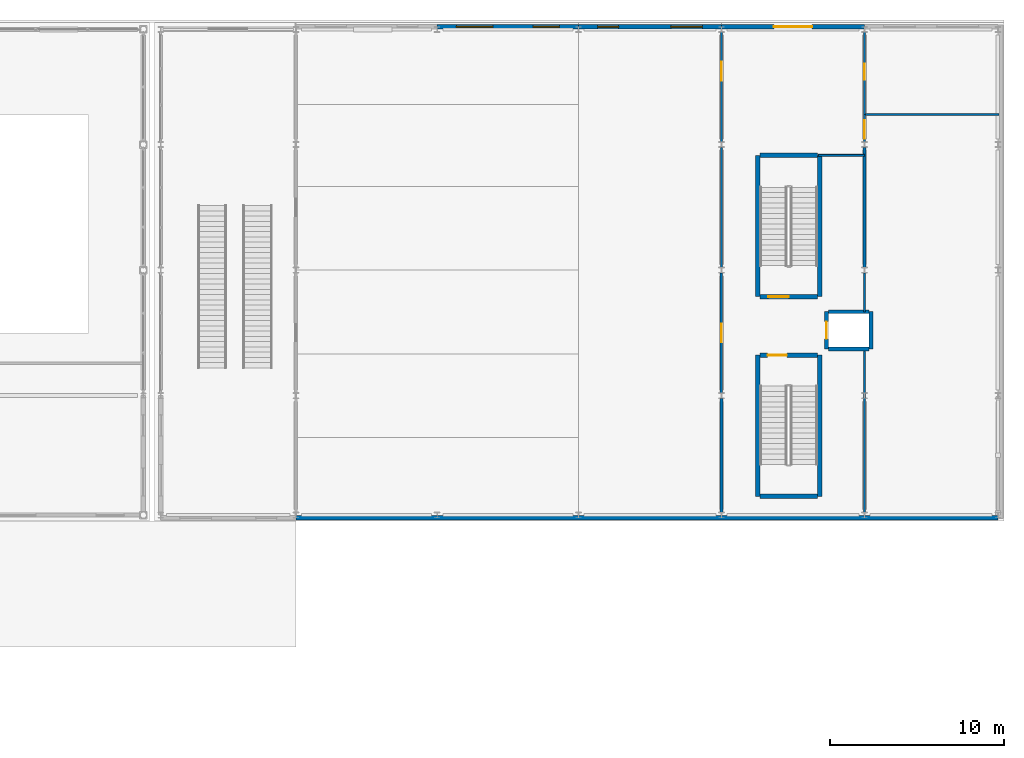
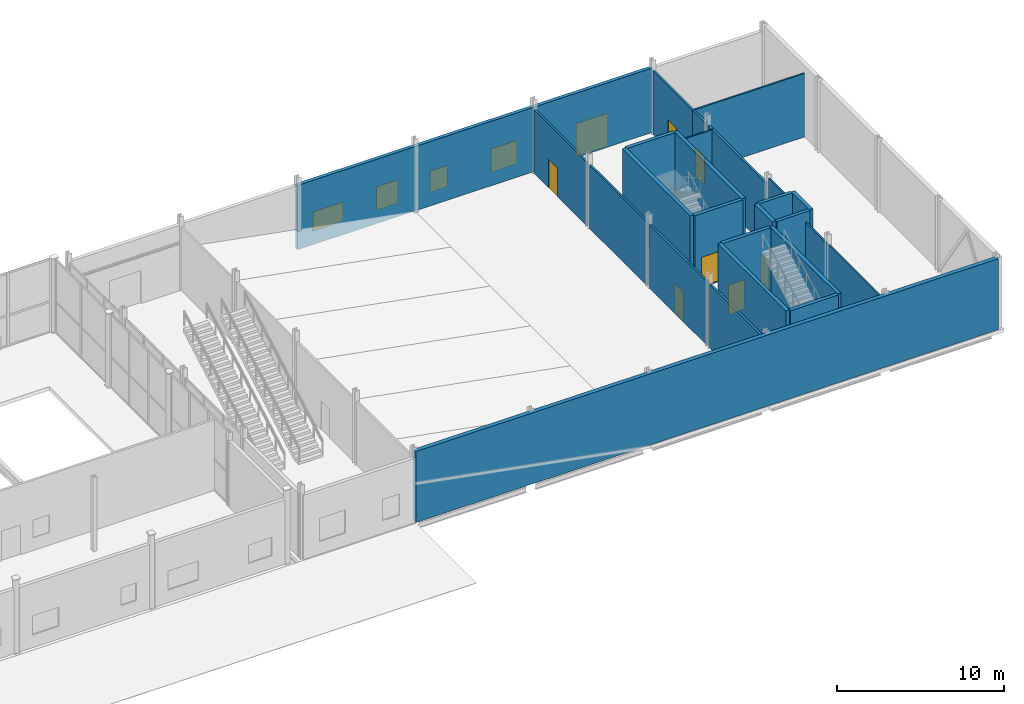
# One storey, part 71 of 83: 27 walls, 8 doors, 4 windows, 12 openings.
"""IFC4 building model written with IfcOpenShell, lengths in metres."""

from ifc_helpers import new_model, si_unit, direction, frame, frame_2d, origin, place, context, subcontext, project, spatial, rectangle, extrude, material, layer, layer_set, type_object, element, fill, save


model = new_model("IFC4")

# Units and contexts
model_context = context("Model", 3, precision=1e-05, world=origin(), true_north=direction((0.0, 1.0)))
body_context = subcontext(model_context, "Body", "Model", "MODEL_VIEW")
ifc_project = project(units=[si_unit("LENGTHUNIT", "METRE"), si_unit("AREAUNIT", "SQUARE_METRE"), si_unit("VOLUMEUNIT", "CUBIC_METRE"), si_unit("PLANEANGLEUNIT", "RADIAN"), si_unit("MASSUNIT", "GRAM", prefix="KILO")], contexts=[model_context])

# Site, building, storey
site_placement = place(None, origin())
site = spatial("IfcSite", under=ifc_project, at=site_placement, CompositionType="ELEMENT")
building_placement = place(site_placement, origin())
building = spatial("IfcBuilding", under=site, at=building_placement, Name="Quillay Park Conservatory", CompositionType="ELEMENT")
storey_placement = place(building_placement, origin())
storey = spatial("IfcBuildingStorey", under=building, at=storey_placement, Name="L00", CompositionType="ELEMENT", Elevation=0.0)

# Walls
ifc_material_1 = material(Name="Steel-Stud Acoustic Gypsum Board Partition", Category="steel")
ifc_layer_1 = layer(ifc_material_1, 0.10009765625)
ifc_layer_set_1 = layer_set([ifc_layer_1], Name="ACOUSTIC GYPSUM PARTITION 100 (Steel-Stud Acoustic Gypsum Board Partition)")
wall_type_1 = type_object("IfcWallType", Name="ACOUSTIC GYPSUM PARTITION 100", PredefinedType="PARTITIONING", material=ifc_layer_set_1)
wall_1_placement = place(storey_placement, frame((156.199951171875, 97.199951171875, 0.0), z_axis=(0.0, 0.0, 1.0), x_axis=(0.0, 1.0, 0.0)))
element("IfcWall", 1, at=wall_1_placement, inside=storey, type_object=wall_type_1, Name="L00 Green Room West Wall M", PredefinedType="PARTITIONING", context=body_context, shape_type="SweptSolid", body=[
    extrude(rectangle(XDim=2.24365234375, YDim=0.10009765625, at=frame_2d((1.121826171875, 0.0))), origin(), (0.0, 0.0, 1.0), 5.14990234375),
])
ifc_material_2 = material(Name="Steel-Stud Acoustic Gypsum Board Partition", Category="steel")
ifc_layer_2 = layer(ifc_material_2, 0.10498046875)
ifc_layer_set_2 = layer_set([ifc_layer_2], Name="ACOUSTIC GYPSUM PARTITION 105 (Steel-Stud Acoustic Gypsum Board Partition)")
wall_type_2 = type_object("IfcWallType", Name="ACOUSTIC GYPSUM PARTITION 105", PredefinedType="PARTITIONING", material=ifc_layer_set_2)
wall_2_placement = place(storey_placement, frame((156.199951171875, 85.70654296875, 0.0), z_axis=(0.0, 0.0, 1.0), x_axis=(0.0, 1.0, 0.0)))
element("IfcWall", 2, at=wall_2_placement, inside=storey, type_object=wall_type_2, Name="L00 Green Room West Wall S", PredefinedType="PARTITIONING", context=body_context, shape_type="SweptSolid", body=[
    extrude(rectangle(XDim=9.3935546875, YDim=0.10498046875, at=frame_2d((4.69677734375, 0.0))), origin(), (0.0, 0.0, 1.0), 4.64111328125),
])
ifc_material_3 = material(Name="Steel-Stud Acoustic Gypsum Board Partition", Category="steel")
ifc_layer_3 = layer(ifc_material_3, 0.110107421875)
ifc_layer_set_3 = layer_set([ifc_layer_3], Name="ACOUSTIC GYPSUM PARTITION 110 (Steel-Stud Acoustic Gypsum Board Partition)")
wall_type_3 = type_object("IfcWallType", Name="ACOUSTIC GYPSUM PARTITION 110", PredefinedType="PARTITIONING", material=ifc_layer_set_3)
wall_3_placement = place(storey_placement, frame((153.550048828125, 106.179931640625, 0.0), z_axis=(0.0, 0.0, 1.0), x_axis=(1.0, 0.0, 0.0)))
element("IfcWall", 3, at=wall_3_placement, inside=storey, type_object=wall_type_3, Name="L00 Aud Core Pocket Closure", PredefinedType="PARTITIONING", context=body_context, shape_type="SweptSolid", body=[
    extrude(rectangle(XDim=2.64990234375, YDim=0.110107421875, at=frame_2d((1.324951171875, 0.0))), origin(), (0.0, 0.0, 1.0), 4.64111328125),
])
ifc_material_4 = material(Name="Steel-Stud Acoustic Gypsum Board Partition", Category="steel")
ifc_layer_4 = layer(ifc_material_4, 0.114990234375)
ifc_layer_set_4 = layer_set([ifc_layer_4], Name="ACOUSTIC GYPSUM PARTITION 115 (Steel-Stud Acoustic Gypsum Board Partition)")
wall_type_4 = type_object("IfcWallType", Name="ACOUSTIC GYPSUM PARTITION 115", PredefinedType="PARTITIONING", material=ifc_layer_set_4)
wall_4_placement = place(storey_placement, frame((163.89990234375, 108.52001953125, 0.0), z_axis=(0.0, 0.0, 1.0), x_axis=(-1.0, 0.0, 0.0)))
element("IfcWall", 4, at=wall_4_placement, inside=storey, type_object=wall_type_4, Name="L00 Green Room North Wall", PredefinedType="PARTITIONING", context=body_context, shape_type="SweptSolid", body=[
    extrude(rectangle(XDim=7.699951171875, YDim=0.114990234375, at=frame_2d((3.85009765625, 0.0))), origin(), (0.0, 0.0, 1.0), 4.64111328125),
])

# Wall, opening, door
ifc_material_5 = material(Name="Steel-Stud Acoustic Gypsum Board Partition", Category="steel")
ifc_layer_5 = layer(ifc_material_5, 0.1201171875)
ifc_layer_set_5 = layer_set([ifc_layer_5], Name="ACOUSTIC GYPSUM PARTITION 120 (Steel-Stud Acoustic Gypsum Board Partition)")
wall_type_5 = type_object("IfcWallType", Name="ACOUSTIC GYPSUM PARTITION 120", PredefinedType="PARTITIONING", material=ifc_layer_set_5)
wall_5_placement = place(storey_placement, frame((156.199951171875, 108.52001953125, 0.0), z_axis=(0.0, 0.0, 1.0), x_axis=(0.0, 1.0, 0.0)))
wall_5 = element("IfcWall", 5, at=wall_5_placement, inside=storey, type_object=wall_type_5, Name="L00 Stage West Door Wall", PredefinedType="PARTITIONING", context=body_context, shape_type="SweptSolid", body=[
    extrude(rectangle(XDim=4.723388671875, YDim=0.1201171875, at=frame_2d((2.36181640625, 0.0))), origin(), (0.0, 0.0, 1.0), 4.64111328125),
])
opening_1_placement = place(wall_5_placement, frame((1.989990234375, 0.0, 0.0)))
opening_1 = element("IfcOpeningElement", 6, at=opening_1_placement, cuts=wall_5, Name="Opening D-RM07", PredefinedType="OPENING", context=body_context, shape_type="SweptSolid", body=[
    extrude(rectangle(XDim=0.919921875, YDim=2.14990234375, at=frame_2d((0.4599609375, 1.074951171875))), frame((0.0, 0.06005859375, 0.0), z_axis=(0.0, -1.0, 0.0), x_axis=(1.0, 0.0, 0.0)), (0.0, 0.0, 1.0), 0.1201171875),
])
ifc_material_6 = material(Name="Thermally Broken Anodised Aluminium 6063-T6", Category="aluminium")
door_type_1 = type_object("IfcDoorType", Name="SINGLE SWING DOOR 920 X2150", OperationType="NOTDEFINED", PredefinedType="DOOR", material=ifc_material_6)
door_1_placement = place(opening_1_placement, origin())
door_1 = element("IfcDoor", 7, at=door_1_placement, inside=storey, type_object=door_type_1, Name="L00 Door to L00 Auditorium Stage and Green Room", OperationType="SINGLE_SWING_LEFT", OverallHeight=2.14990234375, OverallWidth=0.919921875, PredefinedType="DOOR", context=body_context, shape_type="SweptSolid", body=[
    extrude(rectangle(XDim=0.919921875, YDim=2.14990234375, at=frame_2d((0.4599609375, 1.074951171875))), frame((0.0, 0.02490234375, 0.0), z_axis=(0.0, -1.0, 0.0), x_axis=(1.0, 0.0, 0.0)), (0.0, 0.0, 1.0), 0.050048828125),
])
fill(opening_1, door_1)

ifc_material_7 = material(Name="Steel-Stud Acoustic Gypsum Board Partition", Category="steel")
ifc_layer_6 = layer(ifc_material_7, 0.125)
ifc_layer_set_6 = layer_set([ifc_layer_6], Name="ACOUSTIC GYPSUM PARTITION 125 (Steel-Stud Acoustic Gypsum Board Partition)")
wall_type_6 = type_object("IfcWallType", Name="ACOUSTIC GYPSUM PARTITION 125", PredefinedType="PARTITIONING", material=ifc_layer_set_6)
wall_6_placement = place(storey_placement, frame((148.0, 106.95654296875, 0.0), z_axis=(0.0, 0.0, 1.0), x_axis=(0.0, 1.0, 0.0)))
wall_6 = element("IfcWall", 8, at=wall_6_placement, inside=storey, type_object=wall_type_6, Name="L00 Auditorium Stage Wall N2", PredefinedType="PARTITIONING", context=body_context, shape_type="SweptSolid", body=[
    extrude(rectangle(XDim=6.286865234375, YDim=0.125, at=frame_2d((3.1435546875, 0.0))), origin(), (0.0, 0.0, 1.0), 4.64111328125),
])
opening_2_placement = place(wall_6_placement, frame((3.50341796875, 0.0, 0.0)))
opening_2 = element("IfcOpeningElement", 9, at=opening_2_placement, cuts=wall_6, Name="Opening D-RM06", PredefinedType="OPENING", context=body_context, shape_type="SweptSolid", body=[
    extrude(rectangle(XDim=1.080078125, YDim=2.10009765625, at=frame_2d((0.5400390625, 1.050048828125))), frame((0.0, 0.0625, 0.0), z_axis=(0.0, -1.0, 0.0), x_axis=(1.0, 0.0, 0.0)), (0.0, 0.0, 1.0), 0.125),
])
ifc_material_8 = material(Name="Thermally Broken Anodised Aluminium 6063-T6", Category="aluminium")
door_type_2 = type_object("IfcDoorType", Name="SINGLE SWING DOOR 1080 X2100", OperationType="NOTDEFINED", PredefinedType="DOOR", material=ifc_material_8)
door_2_placement = place(opening_2_placement, origin())
door_2 = element("IfcDoor", 10, at=door_2_placement, inside=storey, type_object=door_type_2, Name="L00 Door to Auditorium Stage Hall Access", OperationType="SINGLE_SWING_RIGHT", OverallHeight=2.10009765625, OverallWidth=1.080078125, PredefinedType="DOOR", context=body_context, shape_type="SweptSolid", body=[
    extrude(rectangle(XDim=1.080078125, YDim=2.10009765625, at=frame_2d((0.5400390625, 1.050048828125))), frame((0.0, 0.02490234375, 0.0), z_axis=(0.0, -1.0, 0.0), x_axis=(1.0, 0.0, 0.0)), (0.0, 0.0, 1.0), 0.050048828125),
])
fill(opening_2, door_2)

# Wall
ifc_material_9 = material(Name="Steel-Stud Acoustic Gypsum Board Partition", Category="steel")
ifc_layer_7 = layer(ifc_material_9, 0.1298828125)
ifc_layer_set_7 = layer_set([ifc_layer_7], Name="ACOUSTIC GYPSUM PARTITION 130 (Steel-Stud Acoustic Gypsum Board Partition)")
wall_type_7 = type_object("IfcWallType", Name="ACOUSTIC GYPSUM PARTITION 130", PredefinedType="PARTITIONING", material=ifc_layer_set_7)
wall_7_placement = place(storey_placement, frame((148.0, 99.756591796875, 0.0), z_axis=(0.0, 0.0, 1.0), x_axis=(0.0, 1.0, 0.0)))
element("IfcWall", 11, at=wall_7_placement, inside=storey, type_object=wall_type_7, Name="L00 Auditorium Stage Wall N1", PredefinedType="PARTITIONING", context=body_context, shape_type="SweptSolid", body=[
    extrude(rectangle(XDim=6.886962890625, YDim=0.1298828125, at=frame_2d((3.443359375, 0.0))), origin(), (0.0, 0.0, 1.0), 4.64111328125),
])

# Wall, opening, door
ifc_material_10 = material(Name="Steel-Stud Acoustic Gypsum Board Partition", Category="steel")
ifc_layer_8 = layer(ifc_material_10, 0.139892578125)
ifc_layer_set_8 = layer_set([ifc_layer_8], Name="ACOUSTIC GYPSUM PARTITION 140 (Steel-Stud Acoustic Gypsum Board Partition)")
wall_type_8 = type_object("IfcWallType", Name="ACOUSTIC GYPSUM PARTITION 140", PredefinedType="PARTITIONING", material=ifc_layer_set_8)
wall_8_placement = place(storey_placement, frame((148.0, 92.556396484375, 0.0), z_axis=(0.0, 0.0, 1.0), x_axis=(0.0, 1.0, 0.0)))
wall_8 = element("IfcWall", 12, at=wall_8_placement, inside=storey, type_object=wall_type_8, Name="L00 Auditorium Stage Wall S2", PredefinedType="PARTITIONING", context=body_context, shape_type="SweptSolid", body=[
    extrude(rectangle(XDim=6.88720703125, YDim=0.139892578125, at=frame_2d((3.443603515625, 0.0))), origin(), (0.0, 0.0, 1.0), 4.64111328125),
])
opening_3_placement = place(wall_8_placement, frame((2.91845703125, 0.0, 0.0)))
opening_3 = element("IfcOpeningElement", 13, at=opening_3_placement, cuts=wall_8, Name="Opening D-RM05", PredefinedType="OPENING", context=body_context, shape_type="SweptSolid", body=[
    extrude(rectangle(XDim=1.050048828125, YDim=2.10009765625, at=frame_2d((0.52490234375, 1.050048828125))), frame((0.0, 0.06982421875, 0.0), z_axis=(0.0, -1.0, 0.0), x_axis=(1.0, 0.0, 0.0)), (0.0, 0.0, 1.0), 0.139892578125),
])
ifc_material_11 = material(Name="Thermally Broken Anodised Aluminium 6063-T6", Category="aluminium")
door_type_3 = type_object("IfcDoorType", Name="SINGLE SWING DOOR 1050 X2100", OperationType="NOTDEFINED", PredefinedType="DOOR", material=ifc_material_11)
door_3_placement = place(opening_3_placement, origin())
door_3 = element("IfcDoor", 14, at=door_3_placement, inside=storey, type_object=door_type_3, Name="L00 Door to Auditorium Hall Exit to Core", OperationType="SINGLE_SWING_LEFT", OverallHeight=2.10009765625, OverallWidth=1.050048828125, PredefinedType="DOOR", context=body_context, shape_type="SweptSolid", body=[
    extrude(rectangle(XDim=1.050048828125, YDim=2.10009765625, at=frame_2d((0.52490234375, 1.050048828125))), frame((0.0, 0.02490234375, 0.0), z_axis=(0.0, -1.0, 0.0), x_axis=(1.0, 0.0, 0.0)), (0.0, 0.0, 1.0), 0.050048828125),
])
fill(opening_3, door_3)

wall_9_placement = place(storey_placement, frame((156.199951171875, 106.95654296875, 0.0), z_axis=(0.0, 0.0, 1.0), x_axis=(0.0, 1.0, 0.0)))
wall_9 = element("IfcWall", 15, at=wall_9_placement, inside=storey, type_object=wall_type_8, Name="L00 Green Room West Door Wall", PredefinedType="PARTITIONING", context=body_context, shape_type="SweptSolid", body=[
    extrude(rectangle(XDim=1.5634765625, YDim=0.139892578125, at=frame_2d((0.78173828125, 0.0))), origin(), (0.0, 0.0, 1.0), 4.64111328125),
])
opening_4_placement = place(wall_9_placement, frame((0.16357421875, 0.0, 0.0)))
opening_4 = element("IfcOpeningElement", 16, at=opening_4_placement, cuts=wall_9, Name="Opening D-RM06", PredefinedType="OPENING", context=body_context, shape_type="SweptSolid", body=[
    extrude(rectangle(XDim=1.080078125, YDim=2.10009765625, at=frame_2d((0.5400390625, 1.050048828125))), frame((0.0, 0.06982421875, 0.0), z_axis=(0.0, -1.0, 0.0), x_axis=(1.0, 0.0, 0.0)), (0.0, 0.0, 1.0), 0.139892578125),
])
door_4_placement = place(opening_4_placement, origin())
door_4 = element("IfcDoor", 17, at=door_4_placement, inside=storey, type_object=door_type_2, Name="L00 Door to L00 Speaker Performers Green Room and Dressing Suite", OperationType="SINGLE_SWING_RIGHT", OverallHeight=2.10009765625, OverallWidth=1.080078125, PredefinedType="DOOR", context=body_context, shape_type="SweptSolid", body=[
    extrude(rectangle(XDim=1.080078125, YDim=2.10009765625, at=frame_2d((0.5400390625, 1.050048828125))), frame((0.0, 0.02490234375, 0.0), z_axis=(0.0, -1.0, 0.0), x_axis=(1.0, 0.0, 0.0)), (0.0, 0.0, 1.0), 0.050048828125),
])
fill(opening_4, door_4)

# Walls
ifc_material_12 = material(Name="Steel-Stud Acoustic Gypsum Board Partition", Category="steel")
ifc_layer_9 = layer(ifc_material_12, 0.14990234375)
ifc_layer_set_9 = layer_set([ifc_layer_9], Name="ACOUSTIC GYPSUM PARTITION 150 (Steel-Stud Acoustic Gypsum Board Partition)")
wall_type_9 = type_object("IfcWallType", Name="ACOUSTIC GYPSUM PARTITION 150", PredefinedType="PARTITIONING", material=ifc_layer_set_9)
wall_10_placement = place(storey_placement, frame((148.0, 85.70654296875, 0.0), z_axis=(0.0, 0.0, 1.0), x_axis=(0.0, 1.0, 0.0)))
element("IfcWall", 18, at=wall_10_placement, inside=storey, type_object=wall_type_9, Name="L00 Auditorium Stage Wall S1", PredefinedType="PARTITIONING", context=body_context, shape_type="SweptSolid", body=[
    extrude(rectangle(XDim=6.536865234375, YDim=0.14990234375, at=frame_2d((3.2685546875, 0.0))), origin(), (0.0, 0.0, 1.0), 4.64111328125),
])
wall_11_placement = place(storey_placement, frame((156.199951171875, 99.756591796875, 0.0), z_axis=(0.0, 0.0, 1.0), x_axis=(0.0, 1.0, 0.0)))
element("IfcWall", 19, at=wall_11_placement, inside=storey, type_object=wall_type_9, Name="L00 Green Room West Wall N1", PredefinedType="PARTITIONING", context=body_context, shape_type="SweptSolid", body=[
    extrude(rectangle(XDim=6.886962890625, YDim=0.14990234375, at=frame_2d((3.443359375, 0.0))), origin(), (0.0, 0.0, 1.0), 4.64111328125),
])
ifc_material_13 = material(Name="Concrete C35/45 (NCh170 Concrete C35/45)", Category="concrete")
ifc_layer_10 = layer(ifc_material_13, 0.22509765625)
ifc_layer_set_10 = layer_set([ifc_layer_10], Name="CORE SHEAR WALL 225 (Concrete C35/45 (NCh170 Concrete C35/45))")
wall_type_10 = type_object("IfcWallType", Name="CORE SHEAR WALL 225", PredefinedType="SHEAR", material=ifc_layer_set_10)
for number, where, z_axis, x_axis, name in (
    (20, (154.14990234375, 95.08740234375, 0.0), (0.0, 0.0, 1.0), (1.0, 0.0, 0.0), "L00 Core Shear Wall WL-LFA1S-L00"),
    (21, (154.14990234375, 97.21240234375, 0.0), (0.0, 0.0, 1.0), (1.0, 0.0, 0.0), "L00 Core Shear Wall WL-LFA1N-L00"),
):
    element("IfcWall", number, at=place(storey_placement, frame(where, z_axis=z_axis, x_axis=x_axis)), inside=storey, type_object=wall_type_10, Name=name, PredefinedType="SHEAR", context=body_context, shape_type="SweptSolid", body=[
        extrude(rectangle(XDim=2.300048828125, YDim=0.22509765625, at=frame_2d((1.14990234375, 0.0))), origin(), (0.0, 0.0, 1.0), 5.39990234375),
    ])
ifc_material_14 = material(Name="Concrete C40/50 (NCh170 Concrete C40/50)", Category="concrete")
ifc_layer_11 = layer(ifc_material_14, 0.25)
ifc_layer_set_11 = layer_set([ifc_layer_11], Name="CORE SHEAR WALL 250 (Concrete C40/50 (NCh170 Concrete C40/50))")
wall_type_11 = type_object("IfcWallType", Name="CORE SHEAR WALL 250", PredefinedType="SHEAR", material=ifc_layer_set_11)
for number, where, z_axis, x_axis, name in (
    (22, (150.074951171875, 86.625, 0.0), (0.0, 0.0, 1.0), (0.0, 1.0, 0.0), "L00 Core Shear Wall WL-A1W-L00"),
    (23, (153.64501953125, 86.625, 0.0), (0.0, 0.0, 1.0), (0.0, 1.0, 0.0), "L00 Core Shear Wall WL-A1E-L00"),
):
    element("IfcWall", number, at=place(storey_placement, frame(where, z_axis=z_axis, x_axis=x_axis)), inside=storey, type_object=wall_type_11, Name=name, PredefinedType="SHEAR", context=body_context, shape_type="SweptSolid", body=[
        extrude(rectangle(XDim=8.10009765625, YDim=0.25, at=frame_2d((4.050048828125, 0.0))), origin(), (0.0, 0.0, 1.0), 5.39990234375),
    ])
wall_12_placement = place(storey_placement, frame((150.199951171875, 86.625, 0.0), z_axis=(0.0, 0.0, 1.0), x_axis=(1.0, 0.0, 0.0)))
element("IfcWall", 24, at=wall_12_placement, inside=storey, type_object=wall_type_11, Name="L00 Core Shear Wall WL-A1S-L00", PredefinedType="SHEAR", context=body_context, shape_type="SweptSolid", body=[
    extrude(rectangle(XDim=3.320068359375, YDim=0.25, at=frame_2d((1.66015625, 0.0))), origin(), (0.0, 0.0, 1.0), 5.39990234375),
])

# Wall, opening, door
wall_13_placement = place(storey_placement, frame((150.199951171875, 94.72509765625, 0.0), z_axis=(0.0, 0.0, 1.0), x_axis=(1.0, 0.0, 0.0)))
wall_13 = element("IfcWall", 25, at=wall_13_placement, inside=storey, type_object=wall_type_11, Name="L00 Core Shear Wall WL-A1D-L00", PredefinedType="SHEAR", context=body_context, shape_type="SweptSolid", body=[
    extrude(rectangle(XDim=3.320068359375, YDim=0.25, at=frame_2d((1.66015625, 0.0))), origin(), (0.0, 0.0, 1.0), 5.39990234375),
])
opening_5_placement = place(wall_13_placement, frame((0.449951171875, 0.0, 0.0)))
opening_5 = element("IfcOpeningElement", 26, at=opening_5_placement, cuts=wall_13, Name="Opening D-ST01", PredefinedType="OPENING", context=body_context, shape_type="SweptSolid", body=[
    extrude(rectangle(XDim=1.10009765625, YDim=2.14990234375, at=frame_2d((0.550048828125, 1.074951171875))), frame((0.0, 0.125, 0.0), z_axis=(0.0, -1.0, 0.0), x_axis=(1.0, 0.0, 0.0)), (0.0, 0.0, 1.0), 0.25),
])
ifc_material_15 = material(Name="Steel ASTM A572 Grade 50", Category="steel")
door_type_4 = type_object("IfcDoorType", Name="FIRE RATED STAIR DOOR 1100 X2150", OperationType="NOTDEFINED", PredefinedType="DOOR", material=ifc_material_15)
door_5_placement = place(opening_5_placement, origin())
door_5 = element("IfcDoor", 27, at=door_5_placement, inside=storey, type_object=door_type_4, Name="L00 Auditorium Stair ST-A1 Door", OperationType="SINGLE_SWING_LEFT", OverallHeight=2.14990234375, OverallWidth=1.10009765625, PredefinedType="DOOR", context=body_context, shape_type="SweptSolid", body=[
    extrude(rectangle(XDim=1.10009765625, YDim=2.14990234375, at=frame_2d((0.550048828125, 1.074951171875))), frame((0.0, 0.02490234375, 0.0), z_axis=(0.0, -1.0, 0.0), x_axis=(1.0, 0.0, 0.0)), (0.0, 0.0, 1.0), 0.050048828125),
])
fill(opening_5, door_5)

# Walls
for number, where, z_axis, x_axis, name in (
    (28, (150.074951171875, 98.074951171875, 0.0), (0.0, 0.0, 1.0), (0.0, 1.0, 0.0), "L00 Core Shear Wall WL-A2W-L00"),
    (29, (153.64501953125, 98.074951171875, 0.0), (0.0, 0.0, 1.0), (0.0, 1.0, 0.0), "L00 Core Shear Wall WL-A2E-L00"),
):
    element("IfcWall", number, at=place(storey_placement, frame(where, z_axis=z_axis, x_axis=x_axis)), inside=storey, type_object=wall_type_11, Name=name, PredefinedType="SHEAR", context=body_context, shape_type="SweptSolid", body=[
        extrude(rectangle(XDim=8.10009765625, YDim=0.25, at=frame_2d((4.050048828125, 0.0))), origin(), (0.0, 0.0, 1.0), 5.39990234375),
    ])
wall_14_placement = place(storey_placement, frame((150.199951171875, 106.175048828125, 0.0), z_axis=(0.0, 0.0, 1.0), x_axis=(1.0, 0.0, 0.0)))
element("IfcWall", 30, at=wall_14_placement, inside=storey, type_object=wall_type_11, Name="L00 Core Shear Wall WL-A2N-L00", PredefinedType="SHEAR", context=body_context, shape_type="SweptSolid", body=[
    extrude(rectangle(XDim=3.320068359375, YDim=0.25, at=frame_2d((1.66015625, 0.0))), origin(), (0.0, 0.0, 1.0), 5.39990234375),
])

# Wall, opening, door
wall_15_placement = place(storey_placement, frame((153.52001953125, 98.074951171875, 0.0), z_axis=(0.0, 0.0, 1.0), x_axis=(-1.0, 0.0, 0.0)))
wall_15 = element("IfcWall", 31, at=wall_15_placement, inside=storey, type_object=wall_type_11, Name="L00 Core Shear Wall WL-A2D-L00", PredefinedType="SHEAR", context=body_context, shape_type="SweptSolid", body=[
    extrude(rectangle(XDim=3.320068359375, YDim=0.25, at=frame_2d((1.66015625, 0.0))), origin(), (0.0, 0.0, 1.0), 5.39990234375),
])
opening_6_placement = place(wall_15_placement, frame((1.64990234375, 0.0, 0.0)))
opening_6 = element("IfcOpeningElement", 32, at=opening_6_placement, cuts=wall_15, Name="Opening D-ST03", PredefinedType="OPENING", context=body_context, shape_type="SweptSolid", body=[
    extrude(rectangle(XDim=1.199951171875, YDim=2.199951171875, at=frame_2d((0.60009765625, 1.10009765625))), frame((0.0, 0.125, 0.0), z_axis=(0.0, -1.0, 0.0), x_axis=(1.0, 0.0, 0.0)), (0.0, 0.0, 1.0), 0.25),
])
ifc_material_16 = material(Name="Steel ASTM A572 Grade 50", Category="steel")
door_type_5 = type_object("IfcDoorType", Name="FIRE RATED STAIR DOOR 1200 X2200", OperationType="NOTDEFINED", PredefinedType="DOOR", material=ifc_material_16)
door_6_placement = place(opening_6_placement, origin())
door_6 = element("IfcDoor", 33, at=door_6_placement, inside=storey, type_object=door_type_5, Name="L00 Auditorium Stair ST-A2 Door", OperationType="SINGLE_SWING_RIGHT", OverallHeight=2.199951171875, OverallWidth=1.199951171875, PredefinedType="DOOR", context=body_context, shape_type="SweptSolid", body=[
    extrude(rectangle(XDim=1.199951171875, YDim=2.199951171875, at=frame_2d((0.60009765625, 1.10009765625))), frame((0.0, 0.02490234375, 0.0), z_axis=(0.0, -1.0, 0.0), x_axis=(1.0, 0.0, 0.0)), (0.0, 0.0, 1.0), 0.050048828125),
])
fill(opening_6, door_6)

# Wall
wall_16_placement = place(storey_placement, frame((156.574951171875, 95.074951171875, 0.0), z_axis=(0.0, 0.0, 1.0), x_axis=(0.0, 1.0, 0.0)))
element("IfcWall", 34, at=wall_16_placement, inside=storey, type_object=wall_type_11, Name="L00 Core Shear Wall WL-LFA1B-L00", PredefinedType="SHEAR", context=body_context, shape_type="SweptSolid", body=[
    extrude(rectangle(XDim=2.150146484375, YDim=0.25, at=frame_2d((1.0751953125, 0.0))), origin(), (0.0, 0.0, 1.0), 5.39990234375),
])

# Wall, opening, door
wall_17_placement = place(storey_placement, frame((154.02490234375, 95.074951171875, 0.0), z_axis=(0.0, 0.0, 1.0), x_axis=(0.0, 1.0, 0.0)))
wall_17 = element("IfcWall", 35, at=wall_17_placement, inside=storey, type_object=wall_type_11, Name="L00 Core Shear Wall WL-LFA1F-L00", PredefinedType="SHEAR", context=body_context, shape_type="SweptSolid", body=[
    extrude(rectangle(XDim=2.150146484375, YDim=0.25, at=frame_2d((1.0751953125, 0.0))), origin(), (0.0, 0.0, 1.0), 5.39990234375),
])
opening_7_placement = place(wall_17_placement, frame((0.574951171875, 0.0, 0.0)))
opening_7 = element("IfcOpeningElement", 36, at=opening_7_placement, cuts=wall_17, Name="Opening LD04", PredefinedType="OPENING", context=body_context, shape_type="SweptSolid", body=[
    extrude(rectangle(XDim=1.0, YDim=2.10009765625, at=frame_2d((0.5, 1.050048828125))), frame((0.0, 0.125, 0.0), z_axis=(0.0, -1.0, 0.0), x_axis=(1.0, 0.0, 0.0)), (0.0, 0.0, 1.0), 0.25),
])
ifc_material_17 = material(Name="Steel ASTM A572 Grade 50", Category="steel")
door_type_6 = type_object("IfcDoorType", Name="LIFT LANDING SLIDING DOOR 1000 X2100", OperationType="NOTDEFINED", PredefinedType="DOOR", material=ifc_material_17)
door_7_placement = place(opening_7_placement, origin())
door_7 = element("IfcDoor", 37, at=door_7_placement, inside=storey, type_object=door_type_6, Name="L00 LF-A1 Lift Landing Door LD04", OperationType="SLIDING_TO_LEFT", OverallHeight=2.10009765625, OverallWidth=1.0, PredefinedType="DOOR", context=body_context, shape_type="SweptSolid", body=[
    extrude(rectangle(XDim=1.0, YDim=2.10009765625, at=frame_2d((0.5, 1.050048828125))), frame((0.0, 0.02490234375, 0.0), z_axis=(0.0, -1.0, 0.0), x_axis=(1.0, 0.0, 0.0)), (0.0, 0.0, 1.0), 0.050048828125),
])
fill(opening_7, door_7)

# Wall, openings, windows
ifc_material_18 = material(Name="Glass-Fibre Reinforced Concrete (GRC) Cladding", Category="concrete")
ifc_layer_12 = layer(ifc_material_18, 0.239990234375)
ifc_layer_set_12 = layer_set([ifc_layer_12], Name="EXTERIOR SOLID WALL 240 (Glass-Fibre Reinforced Concrete (GRC) Cladding)")
wall_type_12 = type_object("IfcWallType", Name="EXTERIOR SOLID WALL 240", PredefinedType="SOLIDWALL", material=ifc_layer_set_12)
wall_18_placement = place(storey_placement, frame((131.699951171875, 113.550048828125, 0.0), z_axis=(0.0, 0.0, 1.0), x_axis=(1.0, 0.0, 0.0)))
wall_18 = element("IfcWall", 38, at=wall_18_placement, inside=storey, type_object=wall_type_12, Name="L00 External Wall WL-EXT-V2NB-L00-1", PredefinedType="SOLIDWALL", context=body_context, shape_type="SweptSolid", body=[
    extrude(rectangle(XDim=8.10009765625, YDim=0.239990234375, at=frame_2d((4.050048828125, 0.0))), origin(), (0.0, 0.0, 1.0), 4.699951171875),
])
opening_8_placement = place(wall_18_placement, frame((1.10009765625, 0.0, 0.919921875)))
opening_8 = element("IfcOpeningElement", 39, at=opening_8_placement, cuts=wall_18, Name="Opening W-06", PredefinedType="OPENING", context=body_context, shape_type="SweptSolid", body=[
    extrude(rectangle(XDim=2.10009765625, YDim=1.39990234375, at=frame_2d((1.050048828125, 0.699951171875))), frame((0.0, 0.1201171875, 0.0), z_axis=(0.0, -1.0, 0.0), x_axis=(1.0, 0.0, 0.0)), (0.0, 0.0, 1.0), 0.239990234375),
])
opening_9_placement = place(wall_18_placement, frame((5.5, 0.0, 0.919921875)))
opening_9 = element("IfcOpeningElement", 40, at=opening_9_placement, cuts=wall_18, Name="Opening W-13", PredefinedType="OPENING", context=body_context, shape_type="SweptSolid", body=[
    extrude(rectangle(XDim=1.5, YDim=1.699951171875, at=frame_2d((0.75, 0.85009765625))), frame((0.0, 0.1201171875, 0.0), z_axis=(0.0, -1.0, 0.0), x_axis=(1.0, 0.0, 0.0)), (0.0, 0.0, 1.0), 0.239990234375),
])
ifc_material_19 = material(Name="Low-E Double Glazing (Laminated Tempered)", Category="glass")
window_type_1 = type_object("IfcWindowType", Name="FIXED CASEMENT WINDOW 1500 X1700", PartitioningType="SINGLE_PANEL", PredefinedType="WINDOW", material=ifc_material_19)
window_1_placement = place(opening_9_placement, origin())
window_1 = element("IfcWindow", 41, at=window_1_placement, inside=storey, type_object=window_type_1, Name="L00 Exterior Window 0380", OverallHeight=1.699951171875, OverallWidth=1.5, PartitioningType="SINGLE_PANEL", PredefinedType="WINDOW", context=body_context, shape_type="SweptSolid", body=[
    extrude(rectangle(XDim=1.5, YDim=1.699951171875, at=frame_2d((0.75, 0.85009765625))), frame((0.0, 0.030029296875, 0.0), z_axis=(0.0, -1.0, 0.0), x_axis=(1.0, 0.0, 0.0)), (0.0, 0.0, 1.0), 0.06005859375),
])
fill(opening_9, window_1)
ifc_material_20 = material(Name="Low-E Double Glazing (Laminated Tempered)", Category="glass")
window_type_2 = type_object("IfcWindowType", Name="FIXED CASEMENT WINDOW 2100 X1400", PartitioningType="DOUBLE_PANEL_VERTICAL", PredefinedType="WINDOW", material=ifc_material_20)
window_2_placement = place(opening_8_placement, origin())
window_2 = element("IfcWindow", 42, at=window_2_placement, inside=storey, type_object=window_type_2, Name="L00 Exterior Window 0379", OverallHeight=1.39990234375, OverallWidth=2.10009765625, PartitioningType="DOUBLE_PANEL_VERTICAL", PredefinedType="WINDOW", context=body_context, shape_type="SweptSolid", body=[
    extrude(rectangle(XDim=2.10009765625, YDim=1.39990234375, at=frame_2d((1.050048828125, 0.699951171875))), frame((0.0, 0.030029296875, 0.0), z_axis=(0.0, -1.0, 0.0), x_axis=(1.0, 0.0, 0.0)), (0.0, 0.0, 1.0), 0.06005859375),
])
fill(opening_8, window_2)

wall_19_placement = place(storey_placement, frame((139.800048828125, 113.550048828125, 0.0), z_axis=(0.0, 0.0, 1.0), x_axis=(1.0, 0.0, 0.0)))
wall_19 = element("IfcWall", 43, at=wall_19_placement, inside=storey, type_object=wall_type_12, Name="L00 External Wall WL-EXT-V2NB-L00-2", PredefinedType="SOLIDWALL", context=body_context, shape_type="SweptSolid", body=[
    extrude(rectangle(XDim=8.199951171875, YDim=0.239990234375, at=frame_2d((4.10009765625, 0.0))), origin(), (0.0, 0.0, 1.0), 4.699951171875),
])
opening_10_placement = place(wall_19_placement, frame((1.10009765625, 0.0, 0.919921875)))
opening_10 = element("IfcOpeningElement", 44, at=opening_10_placement, cuts=wall_19, Name="Opening W-07", PredefinedType="OPENING", context=body_context, shape_type="SweptSolid", body=[
    extrude(rectangle(XDim=1.199951171875, YDim=1.550048828125, at=frame_2d((0.60009765625, 0.77490234375))), frame((0.0, 0.1201171875, 0.0), z_axis=(0.0, -1.0, 0.0), x_axis=(1.0, 0.0, 0.0)), (0.0, 0.0, 1.0), 0.239990234375),
])
opening_11_placement = place(wall_19_placement, frame((5.300048828125, 0.0, 0.919921875)))
opening_11 = element("IfcOpeningElement", 45, at=opening_11_placement, cuts=wall_19, Name="Opening W-14", PredefinedType="OPENING", context=body_context, shape_type="SweptSolid", body=[
    extrude(rectangle(XDim=1.800048828125, YDim=1.699951171875, at=frame_2d((0.89990234375, 0.85009765625))), frame((0.0, 0.1201171875, 0.0), z_axis=(0.0, -1.0, 0.0), x_axis=(1.0, 0.0, 0.0)), (0.0, 0.0, 1.0), 0.239990234375),
])
ifc_material_21 = material(Name="Low-E Double Glazing (Laminated Tempered)", Category="glass")
window_type_3 = type_object("IfcWindowType", Name="FIXED CASEMENT WINDOW 1200 X1550", PartitioningType="SINGLE_PANEL", PredefinedType="WINDOW", material=ifc_material_21)
window_3_placement = place(opening_10_placement, origin())
window_3 = element("IfcWindow", 46, at=window_3_placement, inside=storey, type_object=window_type_3, Name="L00 Exterior Window 0381", OverallHeight=1.550048828125, OverallWidth=1.199951171875, PartitioningType="SINGLE_PANEL", PredefinedType="WINDOW", context=body_context, shape_type="SweptSolid", body=[
    extrude(rectangle(XDim=1.199951171875, YDim=1.550048828125, at=frame_2d((0.60009765625, 0.77490234375))), frame((0.0, 0.030029296875, 0.0), z_axis=(0.0, -1.0, 0.0), x_axis=(1.0, 0.0, 0.0)), (0.0, 0.0, 1.0), 0.06005859375),
])
fill(opening_10, window_3)
ifc_material_22 = material(Name="Low-E Double Glazing (Laminated Tempered)", Category="glass")
window_type_4 = type_object("IfcWindowType", Name="FIXED CASEMENT WINDOW 1800 X1700", PartitioningType="DOUBLE_PANEL_VERTICAL", PredefinedType="WINDOW", material=ifc_material_22)
window_4_placement = place(opening_11_placement, origin())
window_4 = element("IfcWindow", 47, at=window_4_placement, inside=storey, type_object=window_type_4, Name="L00 Exterior Window 0382", OverallHeight=1.699951171875, OverallWidth=1.800048828125, PartitioningType="DOUBLE_PANEL_VERTICAL", PredefinedType="WINDOW", context=body_context, shape_type="SweptSolid", body=[
    extrude(rectangle(XDim=1.800048828125, YDim=1.699951171875, at=frame_2d((0.89990234375, 0.85009765625))), frame((0.0, 0.030029296875, 0.0), z_axis=(0.0, -1.0, 0.0), x_axis=(1.0, 0.0, 0.0)), (0.0, 0.0, 1.0), 0.06005859375),
])
fill(opening_11, window_4)

# Wall, opening, door
wall_20_placement = place(storey_placement, frame((148.0, 113.550048828125, 0.0), z_axis=(0.0, 0.0, 1.0), x_axis=(1.0, 0.0, 0.0)))
wall_20 = element("IfcWall", 48, at=wall_20_placement, inside=storey, type_object=wall_type_12, Name="L00 External Wall WL-EXT-V2NB-L00-3", PredefinedType="SOLIDWALL", context=body_context, shape_type="SweptSolid", body=[
    extrude(rectangle(XDim=8.199951171875, YDim=0.239990234375, at=frame_2d((4.10009765625, 0.0))), origin(), (0.0, 0.0, 1.0), 4.699951171875),
])
opening_12_placement = place(wall_20_placement, frame((3.0, 0.0, 0.0)))
opening_12 = element("IfcOpeningElement", 49, at=opening_12_placement, cuts=wall_20, Name="Opening D-EX08", PredefinedType="OPENING", context=body_context, shape_type="SweptSolid", body=[
    extrude(rectangle(XDim=2.199951171875, YDim=2.39990234375, at=frame_2d((1.10009765625, 1.199951171875))), frame((0.0, 0.1201171875, 0.0), z_axis=(0.0, -1.0, 0.0), x_axis=(1.0, 0.0, 0.0)), (0.0, 0.0, 1.0), 0.239990234375),
])
ifc_material_23 = material(Name="Thermally Broken Anodised Aluminium 6063-T6", Category="aluminium")
door_type_7 = type_object("IfcDoorType", Name="PEDESTRIAN EXIT DOOR 2200 X2400", OperationType="NOTDEFINED", PredefinedType="DOOR", material=ifc_material_23)
door_8_placement = place(opening_12_placement, origin())
door_8 = element("IfcDoor", 50, at=door_8_placement, inside=storey, type_object=door_type_7, Name="Auditorium East Wing Stair Discharge Exit D-EX08", OperationType="DOUBLE_DOOR_SINGLE_SWING", OverallHeight=2.39990234375, OverallWidth=2.199951171875, PredefinedType="DOOR", context=body_context, shape_type="SweptSolid", body=[
    extrude(rectangle(XDim=2.199951171875, YDim=2.39990234375, at=frame_2d((1.10009765625, 1.199951171875))), frame((0.0, 0.02490234375, 0.0), z_axis=(0.0, -1.0, 0.0), x_axis=(1.0, 0.0, 0.0)), (0.0, 0.0, 1.0), 0.050048828125),
])
fill(opening_12, door_8)

# Wall
ifc_material_24 = material(Name="Concrete C35/45 (NCh170 Concrete C35/45)", Category="concrete")
ifc_layer_13 = layer(ifc_material_24, 0.280029296875)
ifc_layer_set_13 = layer_set([ifc_layer_13], Name="SOLID FIREWALL 280 (Concrete C35/45 (NCh170 Concrete C35/45))")
wall_type_13 = type_object("IfcWallType", Name="SOLID FIREWALL 280", PredefinedType="SOLIDWALL", material=ifc_layer_set_13)
wall_21_placement = place(storey_placement, frame((163.85009765625, 85.39990234375, 0.0), z_axis=(0.0, 0.0, 1.0), x_axis=(-1.0, 0.0, 0.0)))
element("IfcWall", 51, at=wall_21_placement, inside=storey, type_object=wall_type_13, Name="L00 Auditorium Inner-South Firewall", PredefinedType="SOLIDWALL", context=body_context, shape_type="SweptSolid", body=[
    extrude(rectangle(XDim=40.25, YDim=0.280029296875, at=frame_2d((20.125, 0.0))), origin(), (0.0, 0.0, 1.0), 5.18994140625),
])

save(model, "model.ifc")
